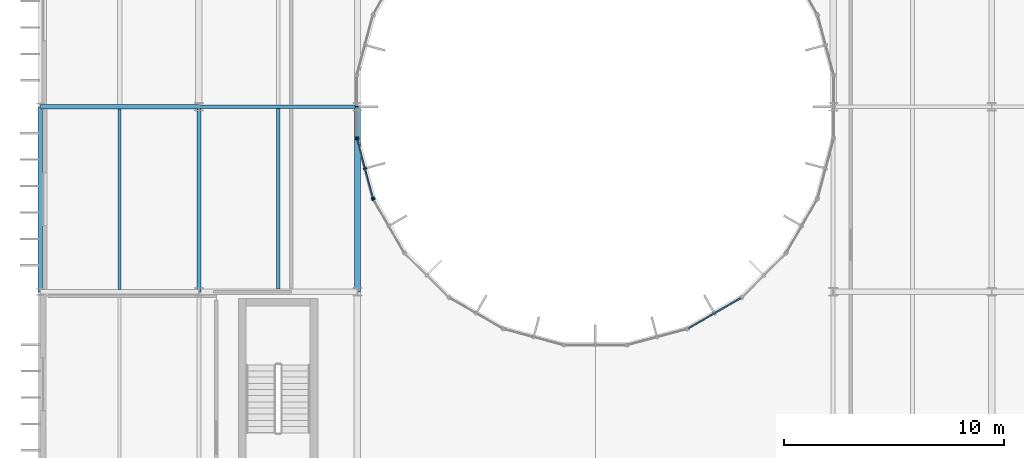
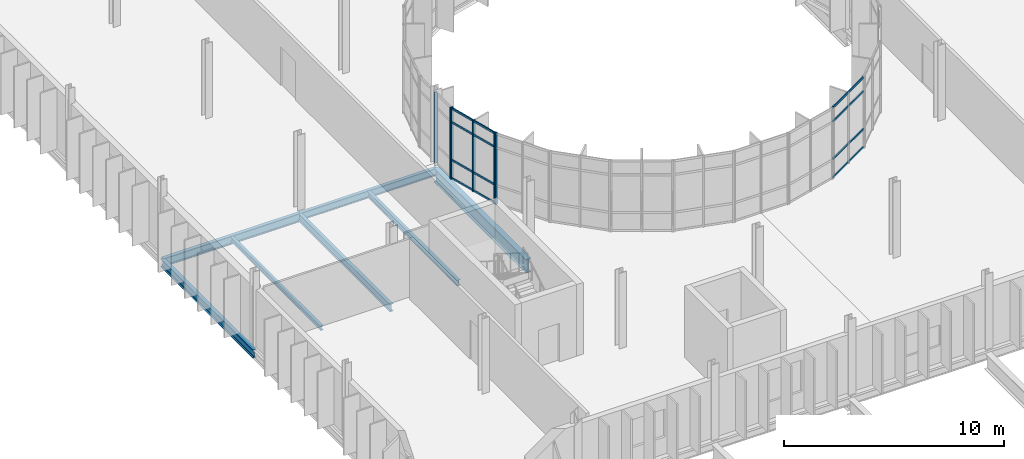
# One storey, part 44 of 119: 14 members, 7 beams, 4 elements without a shape of their own.
"""IFC4 building model written with IfcOpenShell, lengths in metres."""

from ifc_helpers import new_model, si_unit, direction, frame, origin, origin_2d, place, context, subcontext, project, spatial, rectangle, i_section, extrude, material, material_profile, profile_set, type_object, element, aggregate, save


model = new_model("IFC4")

# Units and contexts
model_context = context("Model", 3, precision=1e-05, world=origin(), true_north=direction((0.0, 1.0)))
body_context = subcontext(model_context, "Body", "Model", "MODEL_VIEW")
ifc_project = project(units=[si_unit("LENGTHUNIT", "METRE"), si_unit("AREAUNIT", "SQUARE_METRE"), si_unit("VOLUMEUNIT", "CUBIC_METRE"), si_unit("PLANEANGLEUNIT", "RADIAN"), si_unit("MASSUNIT", "GRAM", prefix="KILO")], contexts=[model_context])

# Site, building, storey
site_placement = place(None, origin())
site = spatial("IfcSite", under=ifc_project, at=site_placement, CompositionType="ELEMENT")
building_placement = place(site_placement, origin())
building = spatial("IfcBuilding", under=site, at=building_placement, Name="Qelthora Terrace Specialist Clinic", CompositionType="ELEMENT")
storey_placement = place(building_placement, frame((0.0, 0.0, 4.800048828125)))
storey = spatial("IfcBuildingStorey", under=building, at=storey_placement, Name="L01", CompositionType="ELEMENT", Elevation=4.800048828125)

# Beams
ifc_material_1 = material(Name="Steel S355", Category="steel")
ifc_material_profile_1 = material_profile(ifc_material_1, i_section(OverallWidth=0.178955078125, OverallDepth=0.409912109375, WebThickness=0.0087890625, FlangeThickness=0.014404296875, FilletRadius=0.011962890625, at=origin_2d()), Name="W410X67")
ifc_profile_set_1 = profile_set([ifc_material_profile_1], Name="Steel S355")
beam_type_1 = type_object("IfcBeamType", Name="BM-W410X67", PredefinedType="BEAM", material=ifc_profile_set_1)
beam_1_placement = place(storey_placement, frame((7.199951171875, 84.0, -0.455078125), z_axis=(1.0, 0.0, 0.0), x_axis=(0.0, 1.0, 0.0)))
element("IfcBeam", 1, at=beam_1_placement, inside=storey, type_object=beam_type_1, Name="Girder BMX-L01-0276", PredefinedType="BEAM", context=body_context, shape_type="SweptSolid", body=[
    extrude(i_section(OverallWidth=0.178955078125, OverallDepth=0.409912109375, WebThickness=0.0087890625, FlangeThickness=0.014404296875, FilletRadius=0.011962890625, at=origin_2d()), origin(), (0.0, 0.0, 1.0), 7.199951171875),
])
beam_2_placement = place(storey_placement, frame((7.199951171875, 75.60009765625, -0.455078125), z_axis=(0.0, 1.0, 0.0), x_axis=(-1.0, 0.0, 0.0)))
element("IfcBeam", 2, at=beam_2_placement, inside=storey, type_object=beam_type_1, Name="Girder BMY-L01-0360", PredefinedType="BEAM", context=body_context, shape_type="SweptSolid", body=[
    extrude(i_section(OverallWidth=0.178955078125, OverallDepth=0.409912109375, WebThickness=0.0087890625, FlangeThickness=0.014404296875, FilletRadius=0.011962890625, at=origin_2d()), origin(), (0.0, 0.0, 1.0), 8.39990234375),
])
ifc_material_profile_2 = material_profile(ifc_material_1, i_section(OverallWidth=0.19091796875, OverallDepth=0.4599609375, WebThickness=0.010009765625, FlangeThickness=0.01611328125, FilletRadius=0.012939453125, at=origin_2d()), Name="W460X82")
ifc_profile_set_2 = profile_set([ifc_material_profile_2], Name="Steel S355")
beam_type_2 = type_object("IfcBeamType", Name="BM-W460X82", PredefinedType="BEAM", material=ifc_profile_set_2)
beam_3_placement = place(storey_placement, frame((0.0, 75.60009765625, -0.47998046875), z_axis=(0.0, 1.0, 0.0), x_axis=(-1.0, 0.0, 0.0)))
element("IfcBeam", 3, at=beam_3_placement, inside=storey, type_object=beam_type_2, Name="Girder BMY-L01-0348", PredefinedType="BEAM", context=body_context, shape_type="SweptSolid", body=[
    extrude(i_section(OverallWidth=0.19091796875, OverallDepth=0.4599609375, WebThickness=0.010009765625, FlangeThickness=0.01611328125, FilletRadius=0.012939453125, at=origin_2d()), origin(), (0.0, 0.0, 1.0), 8.39990234375),
])
ifc_material_profile_3 = material_profile(ifc_material_1, i_section(OverallWidth=0.26806640625, OverallDepth=0.77001953125, WebThickness=0.015625, FlangeThickness=0.025390625, FilletRadius=0.01904296875, at=origin_2d()), Name="W760X196")
ifc_profile_set_3 = profile_set([ifc_material_profile_3], Name="Steel S355")
beam_type_3 = type_object("IfcBeamType", Name="BM-W760X196", PredefinedType="BEAM", material=ifc_profile_set_3)
beam_4_placement = place(storey_placement, frame((14.39990234375, 75.60009765625, -0.635009765625), z_axis=(0.0, 1.0, 0.0), x_axis=(-1.0, 0.0, 0.0)))
element("IfcBeam", 4, at=beam_4_placement, inside=storey, type_object=beam_type_3, Name="Girder BMY-L01-0372", PredefinedType="BEAM", context=body_context, shape_type="SweptSolid", body=[
    extrude(i_section(OverallWidth=0.26806640625, OverallDepth=0.77001953125, WebThickness=0.015625, FlangeThickness=0.025390625, FilletRadius=0.01904296875, at=origin_2d()), origin(), (0.0, 0.0, 1.0), 8.39990234375),
])

# Curtain wall, members
ifc_material_2 = material(Name="Aluminium anodized bronze", Category="aluminium")
curtain_wall_type = type_object("IfcCurtainWallType", Name="CW-CRTW-UPP", PredefinedType="NOTDEFINED", material=ifc_material_2)
curtain_wall_1_placement = place(storey_placement, origin())
curtain_wall_1 = element("IfcCurtainWall", 5, at=curtain_wall_1_placement, inside=storey, type_object=curtain_wall_type, Name="Curtain wall CW-CW-L01-12", PredefinedType="NOTDEFINED")
ifc_material_profile_4 = material_profile(ifc_material_2, rectangle(XDim=0.06005859375, YDim=0.14990234375, at=origin_2d()), Name="CWM60X150")
ifc_profile_set_4 = profile_set([ifc_material_profile_4], Name="Aluminium anodized bronze")
member_type_1 = type_object("IfcMemberType", Name="CWM-60X150", PredefinedType="MULLION", material=ifc_profile_set_4)
member_1_placement = place(storey_placement, frame((14.372314453125, 84.0, 0.0), z_axis=(0.0, 0.0, 1.0), x_axis=(0.0, -1.0, 0.0)))
member_1 = element("IfcMember", 6, at=member_1_placement, type_object=member_type_1, Name="CW-CW-L01-12 mullion 2", PredefinedType="MULLION", context=body_context, shape_type="SweptSolid", body=[
    extrude(rectangle(XDim=0.06005859375, YDim=0.14990234375, at=origin_2d()), origin(), (0.0, 0.0, 1.0), 3.945068359375),
])
member_2_placement = place(storey_placement, frame((14.372314453125, 82.6103515625, 0.0), z_axis=(0.0, 0.0, 1.0), x_axis=(0.0, -1.0, 0.0)))
member_2 = element("IfcMember", 7, at=member_2_placement, type_object=member_type_1, Name="CW-CW-L01-12 mullion 3", PredefinedType="MULLION", context=body_context, shape_type="SweptSolid", body=[
    extrude(rectangle(XDim=0.06005859375, YDim=0.14990234375, at=origin_2d()), origin(), (0.0, 0.0, 1.0), 3.945068359375),
])
aggregate(curtain_wall_1, [member_1, member_2])

curtain_wall_2_placement = place(storey_placement, origin())
curtain_wall_2 = element("IfcCurtainWall", 8, at=curtain_wall_2_placement, inside=storey, type_object=curtain_wall_type, Name="Curtain wall CW-CW-L01-13", PredefinedType="NOTDEFINED")
member_3_placement = place(storey_placement, frame((14.381591796875, 82.5400390625, 0.0), z_axis=(0.0, 0.0, 1.0), x_axis=(0.258820356987, -0.96592547477, 0.0)))
member_3 = element("IfcMember", 9, at=member_3_placement, type_object=member_type_1, Name="CW-CW-L01-13 mullion 1", PredefinedType="MULLION", context=body_context, shape_type="SweptSolid", body=[
    extrude(rectangle(XDim=0.06005859375, YDim=0.14990234375, at=origin_2d()), origin(), (0.0, 0.0, 1.0), 3.945068359375),
])
member_4_placement = place(storey_placement, frame((14.7412109375, 81.197509765625, 0.0), z_axis=(0.0, 0.0, 1.0), x_axis=(0.258820356987, -0.96592547477, 0.0)))
member_4 = element("IfcMember", 10, at=member_4_placement, type_object=member_type_1, Name="CW-CW-L01-13 mullion 2", PredefinedType="MULLION", context=body_context, shape_type="SweptSolid", body=[
    extrude(rectangle(XDim=0.06005859375, YDim=0.14990234375, at=origin_2d()), origin(), (0.0, 0.0, 1.0), 3.945068359375),
])
member_5_placement = place(storey_placement, frame((15.10107421875, 79.855224609375, 0.0), z_axis=(0.0, 0.0, 1.0), x_axis=(0.258820356987, -0.96592547477, 0.0)))
member_5 = element("IfcMember", 11, at=member_5_placement, type_object=member_type_1, Name="CW-CW-L01-13 mullion 3", PredefinedType="MULLION", context=body_context, shape_type="SweptSolid", body=[
    extrude(rectangle(XDim=0.06005859375, YDim=0.14990234375, at=origin_2d()), origin(), (0.0, 0.0, 1.0), 3.945068359375),
])

# Curtain wall, member
curtain_wall_3_placement = place(storey_placement, origin())
curtain_wall_3 = element("IfcCurtainWall", 12, at=curtain_wall_3_placement, inside=storey, type_object=curtain_wall_type, Name="Curtain wall CW-CW-L01-14", PredefinedType="NOTDEFINED")
member_6_placement = place(storey_placement, frame((15.128173828125, 79.789794921875, 0.0), z_axis=(0.0, 0.0, 1.0), x_axis=(0.499999597971, -0.866025635896, 0.0)))
member_6 = element("IfcMember", 13, at=member_6_placement, type_object=member_type_1, Name="CW-CW-L01-14 mullion 1", PredefinedType="MULLION", context=body_context, shape_type="SweptSolid", body=[
    extrude(rectangle(XDim=0.06005859375, YDim=0.14990234375, at=origin_2d()), origin(), (0.0, 0.0, 1.0), 3.945068359375),
])
aggregate(curtain_wall_3, [member_6])

# Member
ifc_material_profile_5 = material_profile(ifc_material_2, rectangle(XDim=0.06005859375, YDim=0.110107421875, at=origin_2d()), Name="CWT60X110")
ifc_profile_set_5 = profile_set([ifc_material_profile_5], Name="Aluminium anodized bronze")
member_type_2 = type_object("IfcMemberType", Name="CWT-60X110", PredefinedType="USERDEFINED", material=ifc_profile_set_5)
member_7_placement = place(storey_placement, frame((14.38671875, 82.5205078125, 0.0400390625), z_axis=(0.258899423253, -0.965904285444, 0.0), x_axis=(0.965904285444, 0.258899423253, 0.0)))
member_7 = element("IfcMember", 14, at=member_7_placement, type_object=member_type_2, Name="CW-CW-L01-13 transom 1", ObjectType="TRANSOM", PredefinedType="USERDEFINED", context=body_context, shape_type="SweptSolid", body=[
    extrude(rectangle(XDim=0.06005859375, YDim=0.110107421875, at=origin_2d()), origin(), (0.0, 0.0, 1.0), 2.739501953125),
])

member_8_placement = place(storey_placement, frame((14.38671875, 82.5205078125, 1.050048828125), z_axis=(0.258899423253, -0.965904285444, 0.0), x_axis=(0.965904285444, 0.258899423253, 0.0)))
member_8 = element("IfcMember", 15, at=member_8_placement, type_object=member_type_2, Name="CW-CW-L01-13 transom 2", ObjectType="TRANSOM", PredefinedType="USERDEFINED", context=body_context, shape_type="SweptSolid", body=[
    extrude(rectangle(XDim=0.06005859375, YDim=0.110107421875, at=origin_2d()), origin(), (0.0, 0.0, 1.0), 2.739501953125),
])

member_9_placement = place(storey_placement, frame((14.38671875, 82.5205078125, 3.14501953125), z_axis=(0.258899423253, -0.965904285444, 0.0), x_axis=(0.965904285444, 0.258899423253, 0.0)))
member_9 = element("IfcMember", 16, at=member_9_placement, type_object=member_type_2, Name="CW-CW-L01-13 transom 3", ObjectType="TRANSOM", PredefinedType="USERDEFINED", context=body_context, shape_type="SweptSolid", body=[
    extrude(rectangle(XDim=0.06005859375, YDim=0.110107421875, at=origin_2d()), origin(), (0.0, 0.0, 1.0), 2.739501953125),
])

member_10_placement = place(storey_placement, frame((14.38671875, 82.5205078125, 3.905029296875), z_axis=(0.258899423253, -0.965904285444, 0.0), x_axis=(0.965904285444, 0.258899423253, 0.0)))
member_10 = element("IfcMember", 17, at=member_10_placement, type_object=member_type_2, Name="CW-CW-L01-13 transom 4", ObjectType="TRANSOM", PredefinedType="USERDEFINED", context=body_context, shape_type="SweptSolid", body=[
    extrude(rectangle(XDim=0.06005859375, YDim=0.110107421875, at=origin_2d()), origin(), (0.0, 0.0, 1.0), 2.739501953125),
])

aggregate(curtain_wall_2, [member_3, member_4, member_5, member_7, member_8, member_9, member_10])

# Curtain wall, members
curtain_wall_4_placement = place(storey_placement, origin())
curtain_wall_4 = element("IfcCurtainWall", 18, at=curtain_wall_4_placement, inside=storey, type_object=curtain_wall_type, Name="Curtain wall CW-CW-L01-20", PredefinedType="NOTDEFINED")
member_11_placement = place(storey_placement, frame((29.427734375, 73.938232421875, 0.0400390625), z_axis=(0.866029747927, 0.499992475648, 0.0), x_axis=(-0.499992475648, 0.866029747927, 0.0)))
member_11 = element("IfcMember", 19, at=member_11_placement, type_object=member_type_2, Name="CW-CW-L01-20 transom 1", ObjectType="TRANSOM", PredefinedType="USERDEFINED", context=body_context, shape_type="SweptSolid", body=[
    extrude(rectangle(XDim=0.06005859375, YDim=0.110107421875, at=origin_2d()), origin(), (0.0, 0.0, 1.0), 2.7392578125),
])
member_12_placement = place(storey_placement, frame((29.427734375, 73.938232421875, 1.050048828125), z_axis=(0.866029747927, 0.499992475648, 0.0), x_axis=(-0.499992475648, 0.866029747927, 0.0)))
member_12 = element("IfcMember", 20, at=member_12_placement, type_object=member_type_2, Name="CW-CW-L01-20 transom 2", ObjectType="TRANSOM", PredefinedType="USERDEFINED", context=body_context, shape_type="SweptSolid", body=[
    extrude(rectangle(XDim=0.06005859375, YDim=0.110107421875, at=origin_2d()), origin(), (0.0, 0.0, 1.0), 2.7392578125),
])
member_13_placement = place(storey_placement, frame((29.427734375, 73.938232421875, 3.14501953125), z_axis=(0.866029747927, 0.499992475648, 0.0), x_axis=(-0.499992475648, 0.866029747927, 0.0)))
member_13 = element("IfcMember", 21, at=member_13_placement, type_object=member_type_2, Name="CW-CW-L01-20 transom 3", ObjectType="TRANSOM", PredefinedType="USERDEFINED", context=body_context, shape_type="SweptSolid", body=[
    extrude(rectangle(XDim=0.06005859375, YDim=0.110107421875, at=origin_2d()), origin(), (0.0, 0.0, 1.0), 2.7392578125),
])
member_14_placement = place(storey_placement, frame((29.427734375, 73.938232421875, 3.905029296875), z_axis=(0.866029747927, 0.499992475648, 0.0), x_axis=(-0.499992475648, 0.866029747927, 0.0)))
member_14 = element("IfcMember", 22, at=member_14_placement, type_object=member_type_2, Name="CW-CW-L01-20 transom 4", ObjectType="TRANSOM", PredefinedType="USERDEFINED", context=body_context, shape_type="SweptSolid", body=[
    extrude(rectangle(XDim=0.06005859375, YDim=0.110107421875, at=origin_2d()), origin(), (0.0, 0.0, 1.0), 2.7392578125),
])
aggregate(curtain_wall_4, [member_11, member_12, member_13, member_14])

# Beams
ifc_material_profile_6 = material_profile(ifc_material_1, i_section(OverallWidth=0.14599609375, OverallDepth=0.258056640625, WebThickness=0.006103515625, FlangeThickness=0.009033203125, FilletRadius=0.009033203125, at=origin_2d()), Name="W250X33")
ifc_profile_set_6 = profile_set([ifc_material_profile_6], Name="Steel S355")
beam_type_4 = type_object("IfcBeamType", Name="JST-W250X33", PredefinedType="JOIST", material=ifc_profile_set_6)
beam_5_placement = place(storey_placement, frame((3.60009765625, 75.695556640625, -0.379150390625), z_axis=(0.0, 1.0, 0.0), x_axis=(-1.0, 0.0, 0.0)))
element("IfcBeam", 23, at=beam_5_placement, inside=storey, type_object=beam_type_4, Name="Composite floor joist JST-L01-0048", PredefinedType="JOIST", context=body_context, shape_type="SweptSolid", body=[
    extrude(i_section(OverallWidth=0.14599609375, OverallDepth=0.258056640625, WebThickness=0.006103515625, FlangeThickness=0.009033203125, FilletRadius=0.009033203125, at=origin_2d()), origin(), (0.0, 0.0, 1.0), 8.208984375),
])
ifc_material_profile_7 = material_profile(ifc_material_1, i_section(OverallWidth=0.1669921875, OverallDepth=0.31689453125, WebThickness=0.007568359375, FlangeThickness=0.01318359375, FilletRadius=0.010009765625, at=origin_2d()), Name="W310X52")
ifc_profile_set_7 = profile_set([ifc_material_profile_7], Name="Steel S355")
beam_type_5 = type_object("IfcBeamType", Name="JST-W310X52", PredefinedType="JOIST", material=ifc_profile_set_7)
beam_6_placement = place(storey_placement, frame((10.800048828125, 75.72705078125, -0.408447265625), z_axis=(0.0, 1.0, 0.0), x_axis=(-1.0, 0.0, 0.0)))
element("IfcBeam", 24, at=beam_6_placement, inside=storey, type_object=beam_type_5, Name="Composite floor joist JST-L01-0057", PredefinedType="JOIST", context=body_context, shape_type="SweptSolid", body=[
    extrude(i_section(OverallWidth=0.1669921875, OverallDepth=0.31689453125, WebThickness=0.007568359375, FlangeThickness=0.01318359375, FilletRadius=0.010009765625, at=origin_2d()), origin(), (0.0, 0.0, 1.0), 8.183349609375),
])
ifc_material_profile_8 = material_profile(ifc_material_1, i_section(OverallWidth=0.19091796875, OverallDepth=0.4599609375, WebThickness=0.010009765625, FlangeThickness=0.01611328125, FilletRadius=0.012939453125, at=origin_2d()), Name="W460X82")
ifc_profile_set_8 = profile_set([ifc_material_profile_8], Name="Steel S355")
beam_type_6 = type_object("IfcBeamType", Name="SPD-W460X82", PredefinedType="SPANDREL", material=ifc_profile_set_8)
beam_7_placement = place(storey_placement, frame((0.0, 84.0, -0.47998046875), z_axis=(1.0, 0.0, 0.0), x_axis=(0.0, 1.0, 0.0)))
element("IfcBeam", 25, at=beam_7_placement, inside=storey, type_object=beam_type_6, Name="Girder BMX-L01-0275", PredefinedType="SPANDREL", context=body_context, shape_type="SweptSolid", body=[
    extrude(i_section(OverallWidth=0.19091796875, OverallDepth=0.4599609375, WebThickness=0.010009765625, FlangeThickness=0.01611328125, FilletRadius=0.012939453125, at=origin_2d()), origin(), (0.0, 0.0, 1.0), 7.199951171875),
])

save(model, "model.ifc")
